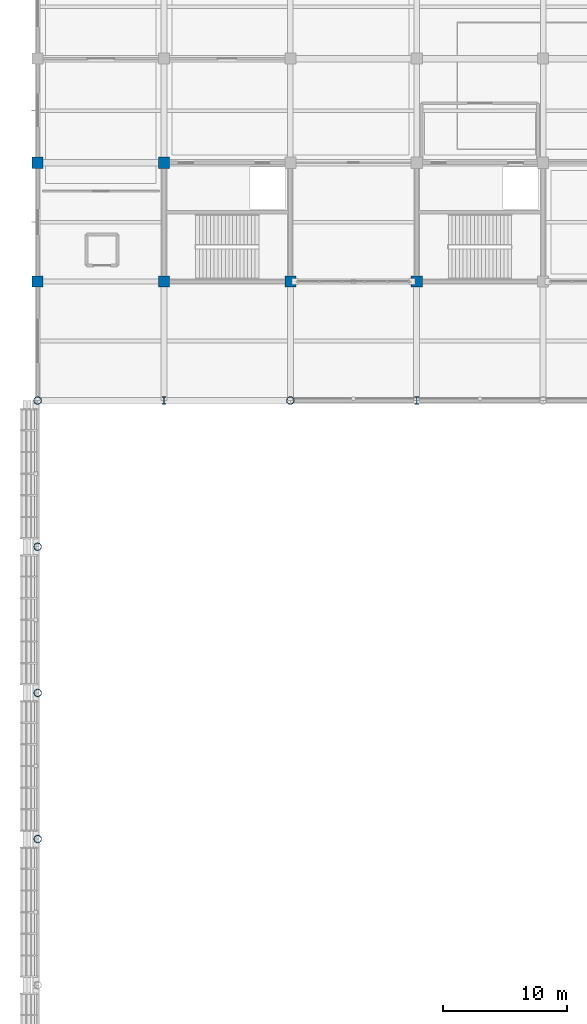
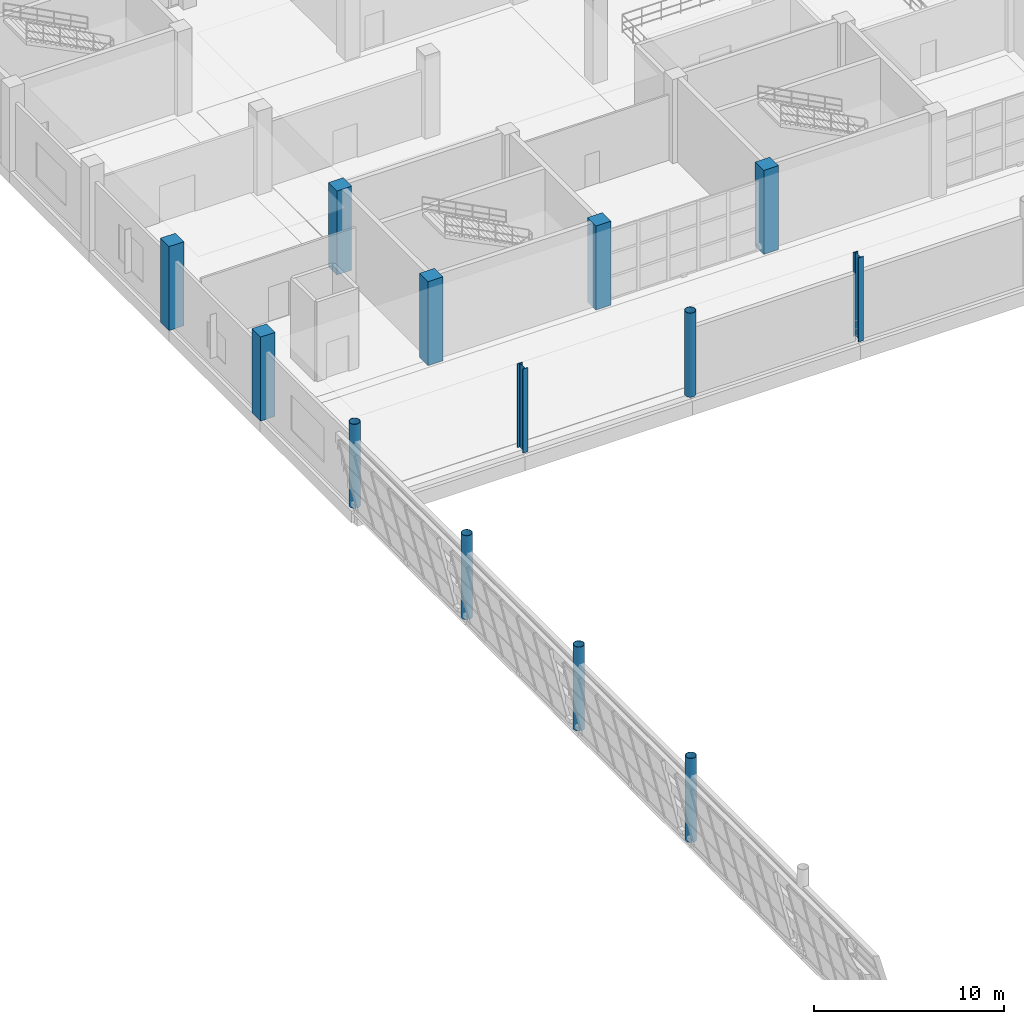
# One storey, part 5 of 175: 13 columns.
"""IFC4 building model written with IfcOpenShell, lengths in metres."""

from ifc_helpers import new_model, si_unit, direction, frame, origin, origin_2d, place, context, subcontext, project, spatial, rectangle, hollow_circle, i_section, extrude, material, material_profile, profile_set, type_object, element, save


model = new_model("IFC4")

# Units and contexts
model_context = context("Model", 3, precision=1e-05, world=origin(), true_north=direction((0.0, 1.0)))
body_context = subcontext(model_context, "Body", "Model", "MODEL_VIEW")
ifc_project = project(units=[si_unit("LENGTHUNIT", "METRE"), si_unit("AREAUNIT", "SQUARE_METRE"), si_unit("VOLUMEUNIT", "CUBIC_METRE"), si_unit("PLANEANGLEUNIT", "RADIAN"), si_unit("MASSUNIT", "GRAM", prefix="KILO")], contexts=[model_context])

# Site, building, storey
site_placement = place(None, origin())
site = spatial("IfcSite", under=ifc_project, at=site_placement, CompositionType="ELEMENT")
building_placement = place(site_placement, origin())
building = spatial("IfcBuilding", under=site, at=building_placement, Name="Brelvane Convention Centre", CompositionType="ELEMENT")
storey_placement = place(building_placement, frame((0.0, 0.0, 5.39990234375)))
storey = spatial("IfcBuildingStorey", under=building, at=storey_placement, Name="L01", CompositionType="ELEMENT", Elevation=5.39990234375)

# Columns
ifc_material_1 = material(Name="Concrete M50", Category="concrete")
ifc_material_profile_1 = material_profile(ifc_material_1, rectangle(XDim=0.89990234375, YDim=0.89990234375, at=origin_2d()), Name="RC 900x900")
ifc_profile_set_1 = profile_set([ifc_material_profile_1], Name="Concrete M50")
column_type_1 = type_object("IfcColumnType", Name="RC Column C-RC2 (RC 900x900)", PredefinedType="COLUMN", material=ifc_profile_set_1)
for number, where, z_axis, x_axis, name in (
    (1, (0.0, 109.199951171875, 0.0), (0.0, 0.0, 1.0), (1.0, 0.0, 0.0), "Column 1-L (L01)"),
    (2, (0.0, 118.800048828125, 0.0), (0.0, 0.0, 1.0), (1.0, 0.0, 0.0), "Column 1-M (L01)"),
    (3, (10.199951171875, 109.199951171875, 0.0), (0.0, 0.0, 1.0), (1.0, 0.0, 0.0), "Column 2-L (L01)"),
    (4, (10.199951171875, 118.800048828125, 0.0), (0.0, 0.0, 1.0), (1.0, 0.0, 0.0), "Column 2-M (L01)"),
    (5, (20.39990234375, 109.199951171875, 0.0), (0.0, 0.0, 1.0), (1.0, 0.0, 0.0), "Column 3-L (L01)"),
    (6, (30.60009765625, 109.199951171875, 0.0), (0.0, 0.0, 1.0), (1.0, 0.0, 0.0), "Column 4-L (L01)"),
):
    element("IfcColumn", number, at=place(storey_placement, frame(where, z_axis=z_axis, x_axis=x_axis)), inside=storey, type_object=column_type_1, Name=name, PredefinedType="COLUMN", context=body_context, shape_type="SweptSolid", body=[
        extrude(rectangle(XDim=0.89990234375, YDim=0.89990234375, at=origin_2d()), origin(), (0.0, 0.0, 1.0), 5.400146484375),
    ])
ifc_material_2 = material(Name="Steel E450 (450 MPa)", Category="steel")
ifc_material_profile_2 = material_profile(ifc_material_2, hollow_circle(Radius=0.304931640625, WallThickness=0.02490234375, at=origin_2d()), Name="CHS 610.0x25.0")
ifc_profile_set_2 = profile_set([ifc_material_profile_2], Name="Steel E450 (450 MPa)")
column_type_2 = type_object("IfcColumnType", Name="Steel Column C-ST1 (CHS 610.0x25.0)", PredefinedType="COLUMN", material=ifc_profile_set_2)
for number, where, z_axis, x_axis, name in (
    (7, (0.0, 64.199951171875, 0.0), (0.0, 0.0, 1.0), (1.0, 0.0, 0.0), "Column 1-G (L01)"),
    (8, (0.0, 76.0, 0.0), (0.0, 0.0, 1.0), (1.0, 0.0, 0.0), "Column 1-H (L01)"),
    (9, (0.0, 87.800048828125, 0.0), (0.0, 0.0, 1.0), (1.0, 0.0, 0.0), "Column 1-J (L01)"),
    (10, (0.0, 99.60009765625, 0.0), (0.0, 0.0, 1.0), (1.0, 0.0, 0.0), "Column 1-K (L01)"),
    (11, (20.39990234375, 99.60009765625, 0.0), (0.0, 0.0, 1.0), (1.0, 0.0, 0.0), "Column 3-K (L01)"),
):
    element("IfcColumn", number, at=place(storey_placement, frame(where, z_axis=z_axis, x_axis=x_axis)), inside=storey, type_object=column_type_2, Name=name, PredefinedType="COLUMN", context=body_context, shape_type="SweptSolid", body=[
        extrude(hollow_circle(Radius=0.304931640625, WallThickness=0.02490234375, at=origin_2d()), origin(), (0.0, 0.0, 1.0), 5.400146484375),
    ])
ifc_material_3 = material(Name="Steel E450 (450 MPa)", Category="steel")
ifc_material_profile_3 = material_profile(ifc_material_3, i_section(OverallWidth=0.300048828125, OverallDepth=0.60009765625, WebThickness=0.015380859375, FlangeThickness=0.030029296875, FilletRadius=0.027099609375, at=origin_2d()), Name="WPB 600x300")
ifc_profile_set_3 = profile_set([ifc_material_profile_3], Name="Steel E450 (450 MPa)")
column_type_3 = type_object("IfcColumnType", Name="Steel Column C-ST5 (WPB 600x300)", PredefinedType="COLUMN", material=ifc_profile_set_3)
for number, where, z_axis, x_axis, name in (
    (12, (10.199951171875, 99.60009765625, 0.0), (0.0, 0.0, 1.0), (1.0, 0.0, 0.0), "Column 2-K (L01)"),
    (13, (30.60009765625, 99.60009765625, 0.0), (0.0, 0.0, 1.0), (1.0, 0.0, 0.0), "Column 4-K (L01)"),
):
    element("IfcColumn", number, at=place(storey_placement, frame(where, z_axis=z_axis, x_axis=x_axis)), inside=storey, type_object=column_type_3, Name=name, PredefinedType="COLUMN", context=body_context, shape_type="SweptSolid", body=[
        extrude(i_section(OverallWidth=0.300048828125, OverallDepth=0.60009765625, WebThickness=0.015380859375, FlangeThickness=0.030029296875, FilletRadius=0.027099609375, at=origin_2d()), origin(), (0.0, 0.0, 1.0), 5.400146484375),
    ])

save(model, "model.ifc")
